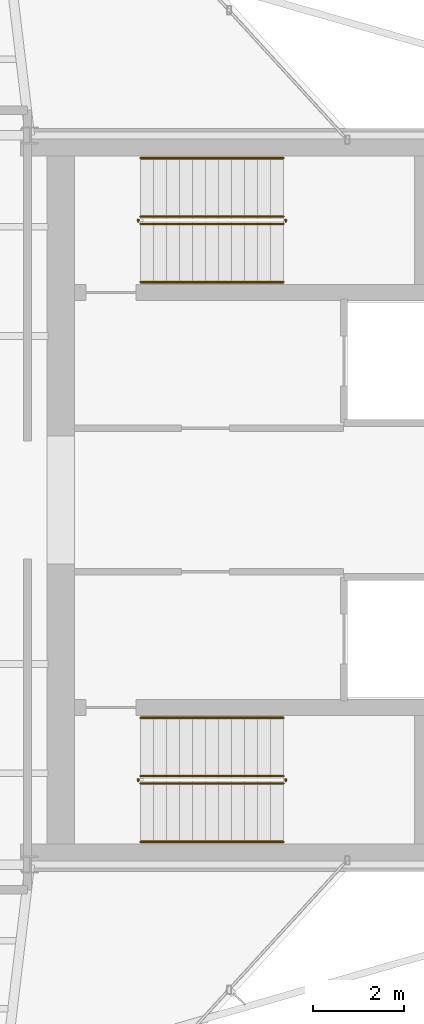
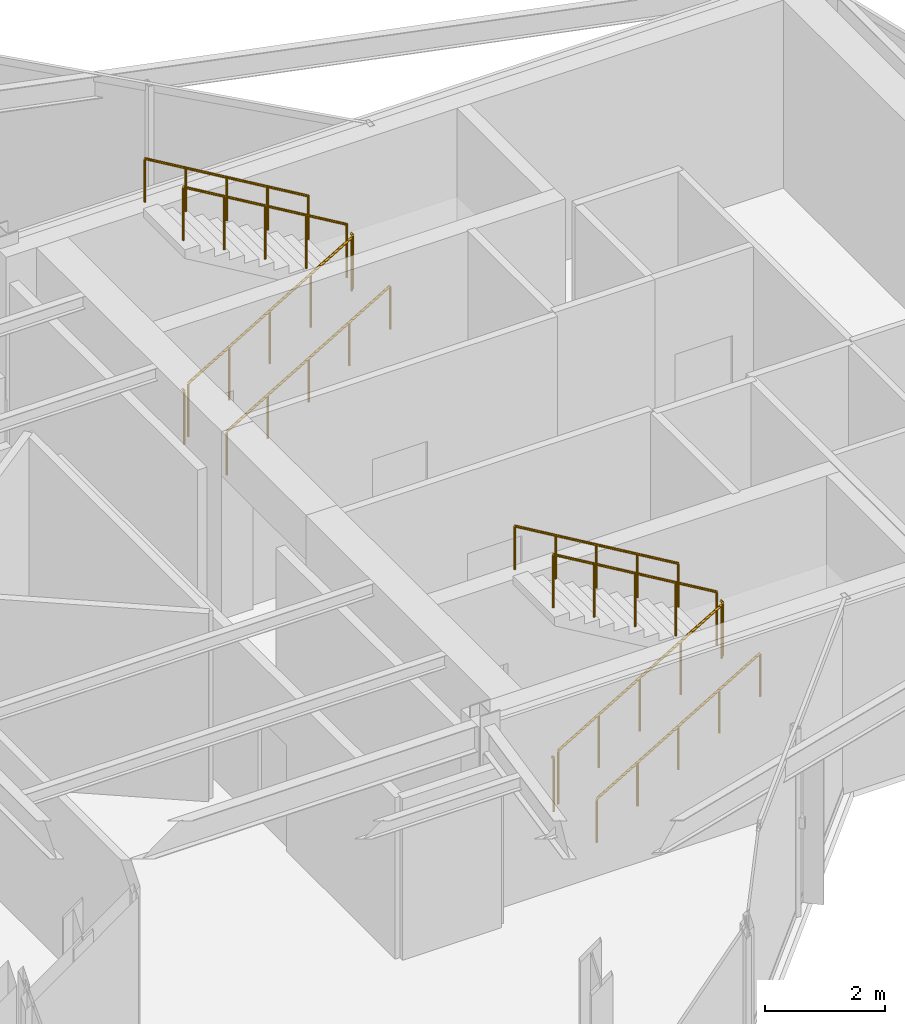
# One storey, part 13 of 13: 12 railings.
"""IFC4 building model written with IfcOpenShell, lengths in metres."""

from ifc_helpers import new_model, si_unit, direction, frame, origin, origin_2d, place, context, subcontext, project, spatial, circle, extrude, material, type_object, element, save


model = new_model("IFC4")

# Units and contexts
model_context = context("Model", 3, precision=1e-05, world=origin(), true_north=direction((0.0, 1.0)))
body_context = subcontext(model_context, "Body", "Model", "MODEL_VIEW")
ifc_project = project(units=[si_unit("LENGTHUNIT", "METRE"), si_unit("AREAUNIT", "SQUARE_METRE"), si_unit("VOLUMEUNIT", "CUBIC_METRE"), si_unit("PLANEANGLEUNIT", "RADIAN"), si_unit("MASSUNIT", "GRAM", prefix="KILO")], contexts=[model_context])

# Site, building, storey
site_placement = place(None, origin())
site = spatial("IfcSite", under=ifc_project, at=site_placement, CompositionType="ELEMENT")
building_placement = place(site_placement, origin())
building = spatial("IfcBuilding", under=site, at=building_placement, Name="Veymaron Broadcast Tower", CompositionType="ELEMENT")
storey_placement = place(building_placement, frame((0.0, 0.0, 279.0)))
storey = spatial("IfcBuildingStorey", under=building, at=storey_placement, Name="L65", CompositionType="ELEMENT", Elevation=279.0)

# Railings
ifc_material_1 = material(Name="Brushed stainless steel AISI 304", Category="steel")
railing_type_1 = type_object("IfcRailingType", Name="RAIL-STAIR-HR", PredefinedType="HANDRAIL", material=ifc_material_1)
railing_1_placement = place(storey_placement, frame((41.429931640625, 28.780029296875, 0.168701171875)))
element("IfcRailing", 1, at=railing_1_placement, inside=storey, type_object=railing_type_1, Name="L65 ST1 stair handrail 1", PredefinedType="HANDRAIL", context=body_context, shape_type="SweptSolid", body=[
    extrude(circle(Radius=0.02392578125, at=origin_2d()), frame((0.0, 0.0, 0.8759765625), z_axis=(0.860481960309, 0.0, 0.509480908359), x_axis=(0.0, 1.0, 0.0)), (0.0, 0.0, 1.0), 3.643310546875),
    extrude(circle(Radius=0.02099609375, at=origin_2d()), origin(), (0.0, 0.0, 1.0), 0.851806640625),
    extrude(circle(Radius=0.02099609375, at=origin_2d()), frame((0.78369140625, 0.0, 0.464111328125)), (0.0, 0.0, 1.0), 0.851806640625),
    extrude(circle(Radius=0.02099609375, at=origin_2d()), frame((1.5673828125, 0.0, 0.92822265625)), (0.0, 0.0, 1.0), 0.851806640625),
    extrude(circle(Radius=0.02099609375, at=origin_2d()), frame((2.351318359375, 0.0, 1.39208984375)), (0.0, 0.0, 1.0), 0.851806640625),
    extrude(circle(Radius=0.02099609375, at=origin_2d()), frame((3.135009765625, 0.0, 1.856201171875)), (0.0, 0.0, 1.0), 0.851806640625),
])
railing_2_placement = place(storey_placement, frame((44.56494140625, 31.5, 2.19384765625)))
element("IfcRailing", 2, at=railing_2_placement, inside=storey, type_object=railing_type_1, Name="L65 ST1 stair handrail 2", PredefinedType="HANDRAIL", context=body_context, shape_type="SweptSolid", body=[
    extrude(circle(Radius=0.02392578125, at=origin_2d()), frame((0.0, 0.0, 0.8759765625), z_axis=(-0.860481960309, 0.0, 0.509480908359), x_axis=(0.0, -1.0, 0.0)), (0.0, 0.0, 1.0), 3.643310546875),
    extrude(circle(Radius=0.02099609375, at=origin_2d()), origin(), (0.0, 0.0, 1.0), 0.851806640625),
    extrude(circle(Radius=0.02099609375, at=origin_2d()), frame((-0.78369140625, 0.0, 0.464111328125)), (0.0, 0.0, 1.0), 0.851806640625),
    extrude(circle(Radius=0.02099609375, at=origin_2d()), frame((-1.5673828125, 0.0, 0.92822265625)), (0.0, 0.0, 1.0), 0.851806640625),
    extrude(circle(Radius=0.02099609375, at=origin_2d()), frame((-2.351318359375, 0.0, 1.39208984375)), (0.0, 0.0, 1.0), 0.851806640625),
    extrude(circle(Radius=0.02099609375, at=origin_2d()), frame((-3.135009765625, 0.0, 1.856201171875)), (0.0, 0.0, 1.0), 0.851806640625),
])
railing_3_placement = place(storey_placement, frame((41.429931640625, 16.5, 0.168701171875)))
element("IfcRailing", 3, at=railing_3_placement, inside=storey, type_object=railing_type_1, Name="L65 ST2 stair handrail 1", PredefinedType="HANDRAIL", context=body_context, shape_type="SweptSolid", body=[
    extrude(circle(Radius=0.02392578125, at=origin_2d()), frame((0.0, 0.0, 0.8759765625), z_axis=(0.860481960309, 0.0, 0.509480908359), x_axis=(0.0, 1.0, 0.0)), (0.0, 0.0, 1.0), 3.643310546875),
    extrude(circle(Radius=0.02099609375, at=origin_2d()), origin(), (0.0, 0.0, 1.0), 0.851806640625),
    extrude(circle(Radius=0.02099609375, at=origin_2d()), frame((0.78369140625, 0.0, 0.464111328125)), (0.0, 0.0, 1.0), 0.851806640625),
    extrude(circle(Radius=0.02099609375, at=origin_2d()), frame((1.5673828125, 0.0, 0.92822265625)), (0.0, 0.0, 1.0), 0.851806640625),
    extrude(circle(Radius=0.02099609375, at=origin_2d()), frame((2.351318359375, 0.0, 1.39208984375)), (0.0, 0.0, 1.0), 0.851806640625),
    extrude(circle(Radius=0.02099609375, at=origin_2d()), frame((3.135009765625, 0.0, 1.856201171875)), (0.0, 0.0, 1.0), 0.851806640625),
])
railing_4_placement = place(storey_placement, frame((44.56494140625, 19.219970703125, 2.19384765625)))
element("IfcRailing", 4, at=railing_4_placement, inside=storey, type_object=railing_type_1, Name="L65 ST2 stair handrail 2", PredefinedType="HANDRAIL", context=body_context, shape_type="SweptSolid", body=[
    extrude(circle(Radius=0.02392578125, at=origin_2d()), frame((0.0, 0.0, 0.8759765625), z_axis=(-0.860481960309, 0.0, 0.509480908359), x_axis=(0.0, -1.0, 0.0)), (0.0, 0.0, 1.0), 3.643310546875),
    extrude(circle(Radius=0.02099609375, at=origin_2d()), origin(), (0.0, 0.0, 1.0), 0.851806640625),
    extrude(circle(Radius=0.02099609375, at=origin_2d()), frame((-0.78369140625, 0.0, 0.464111328125)), (0.0, 0.0, 1.0), 0.851806640625),
    extrude(circle(Radius=0.02099609375, at=origin_2d()), frame((-1.5673828125, 0.0, 0.92822265625)), (0.0, 0.0, 1.0), 0.851806640625),
    extrude(circle(Radius=0.02099609375, at=origin_2d()), frame((-2.351318359375, 0.0, 1.39208984375)), (0.0, 0.0, 1.0), 0.851806640625),
    extrude(circle(Radius=0.02099609375, at=origin_2d()), frame((-3.135009765625, 0.0, 1.856201171875)), (0.0, 0.0, 1.0), 0.851806640625),
])
ifc_material_2 = material(Name="Painted galvanized steel balustrade", Category="steel")
railing_type_2 = type_object("IfcRailingType", Name="RAIL-WELL-GRD", PredefinedType="GUARDRAIL", material=ifc_material_2)
railing_5_placement = place(storey_placement, frame((41.429931640625, 30.06005859375, 0.168701171875)))
element("IfcRailing", 5, at=railing_5_placement, inside=storey, type_object=railing_type_2, Name="L65 ST1 stair guard 1", PredefinedType="GUARDRAIL", context=body_context, shape_type="SweptSolid", body=[
    extrude(circle(Radius=0.02392578125, at=origin_2d()), frame((0.0, 0.0, 1.076171875), z_axis=(0.860481960309, 0.0, 0.509480908359), x_axis=(0.0, 1.0, 0.0)), (0.0, 0.0, 1.0), 3.643310546875),
    extrude(circle(Radius=0.02099609375, at=origin_2d()), origin(), (0.0, 0.0, 1.0), 1.052001953125),
    extrude(circle(Radius=0.02099609375, at=origin_2d()), frame((0.78369140625, 0.0, 0.464111328125)), (0.0, 0.0, 1.0), 1.052001953125),
    extrude(circle(Radius=0.02099609375, at=origin_2d()), frame((1.5673828125, 0.0, 0.92822265625)), (0.0, 0.0, 1.0), 1.052001953125),
    extrude(circle(Radius=0.02099609375, at=origin_2d()), frame((2.351318359375, 0.0, 1.39208984375)), (0.0, 0.0, 1.0), 1.052001953125),
    extrude(circle(Radius=0.02099609375, at=origin_2d()), frame((3.135009765625, 0.0, 1.856201171875)), (0.0, 0.0, 1.0), 1.052001953125),
])
railing_6_placement = place(storey_placement, frame((44.614990234375, 30.110107421875, 2.02490234375)))
element("IfcRailing", 6, at=railing_6_placement, inside=storey, type_object=railing_type_2, Name="L65 ST1 stair guard 2", PredefinedType="GUARDRAIL", context=body_context, shape_type="SweptSolid", body=[
    extrude(circle(Radius=0.02392578125, at=origin_2d()), frame((0.0, 0.0, 1.076171875), z_axis=(0.0, 1.0, 0.0), x_axis=(-1.0, 0.0, 0.0)), (0.0, 0.0, 1.0), 0.059814453125),
    extrude(circle(Radius=0.02099609375, at=origin_2d()), origin(), (0.0, 0.0, 1.0), 1.052001953125),
])
railing_7_placement = place(storey_placement, frame((44.56494140625, 30.219970703125, 2.19384765625)))
element("IfcRailing", 7, at=railing_7_placement, inside=storey, type_object=railing_type_2, Name="L65 ST1 stair guard 3", PredefinedType="GUARDRAIL", context=body_context, shape_type="SweptSolid", body=[
    extrude(circle(Radius=0.02392578125, at=origin_2d()), frame((0.0, 0.0, 1.076171875), z_axis=(-0.860481960309, 0.0, 0.509480908359), x_axis=(0.0, -1.0, 0.0)), (0.0, 0.0, 1.0), 3.643310546875),
    extrude(circle(Radius=0.02099609375, at=origin_2d()), origin(), (0.0, 0.0, 1.0), 1.052001953125),
    extrude(circle(Radius=0.02099609375, at=origin_2d()), frame((-0.78369140625, 0.0, 0.464111328125)), (0.0, 0.0, 1.0), 1.052001953125),
    extrude(circle(Radius=0.02099609375, at=origin_2d()), frame((-1.5673828125, 0.0, 0.92822265625)), (0.0, 0.0, 1.0), 1.052001953125),
    extrude(circle(Radius=0.02099609375, at=origin_2d()), frame((-2.351318359375, 0.0, 1.39208984375)), (0.0, 0.0, 1.0), 1.052001953125),
    extrude(circle(Radius=0.02099609375, at=origin_2d()), frame((-3.135009765625, 0.0, 1.856201171875)), (0.0, 0.0, 1.0), 1.052001953125),
])
railing_8_placement = place(storey_placement, frame((41.3798828125, 30.110107421875, 0.0)))
element("IfcRailing", 8, at=railing_8_placement, inside=storey, type_object=railing_type_2, Name="L65 ST1 stair guard 4", PredefinedType="GUARDRAIL", context=body_context, shape_type="SweptSolid", body=[
    extrude(circle(Radius=0.02392578125, at=origin_2d()), frame((0.0, 0.0, 1.076171875), z_axis=(0.0, 1.0, 0.0), x_axis=(-1.0, 0.0, 0.0)), (0.0, 0.0, 1.0), 0.059814453125),
    extrude(circle(Radius=0.02099609375, at=origin_2d()), origin(), (0.0, 0.0, 1.0), 1.052001953125),
])
railing_9_placement = place(storey_placement, frame((41.429931640625, 17.780029296875, 0.168701171875)))
element("IfcRailing", 9, at=railing_9_placement, inside=storey, type_object=railing_type_2, Name="L65 ST2 stair guard 1", PredefinedType="GUARDRAIL", context=body_context, shape_type="SweptSolid", body=[
    extrude(circle(Radius=0.02392578125, at=origin_2d()), frame((0.0, 0.0, 1.076171875), z_axis=(0.860481960309, 0.0, 0.509480908359), x_axis=(0.0, 1.0, 0.0)), (0.0, 0.0, 1.0), 3.643310546875),
    extrude(circle(Radius=0.02099609375, at=origin_2d()), origin(), (0.0, 0.0, 1.0), 1.052001953125),
    extrude(circle(Radius=0.02099609375, at=origin_2d()), frame((0.78369140625, 0.0, 0.464111328125)), (0.0, 0.0, 1.0), 1.052001953125),
    extrude(circle(Radius=0.02099609375, at=origin_2d()), frame((1.5673828125, 0.0, 0.92822265625)), (0.0, 0.0, 1.0), 1.052001953125),
    extrude(circle(Radius=0.02099609375, at=origin_2d()), frame((2.351318359375, 0.0, 1.39208984375)), (0.0, 0.0, 1.0), 1.052001953125),
    extrude(circle(Radius=0.02099609375, at=origin_2d()), frame((3.135009765625, 0.0, 1.856201171875)), (0.0, 0.0, 1.0), 1.052001953125),
])
railing_10_placement = place(storey_placement, frame((44.614990234375, 17.830078125, 2.02490234375)))
element("IfcRailing", 10, at=railing_10_placement, inside=storey, type_object=railing_type_2, Name="L65 ST2 stair guard 2", PredefinedType="GUARDRAIL", context=body_context, shape_type="SweptSolid", body=[
    extrude(circle(Radius=0.02392578125, at=origin_2d()), frame((0.0, 0.0, 1.076171875), z_axis=(0.0, 1.0, 0.0), x_axis=(-1.0, 0.0, 0.0)), (0.0, 0.0, 1.0), 0.059814453125),
    extrude(circle(Radius=0.02099609375, at=origin_2d()), origin(), (0.0, 0.0, 1.0), 1.052001953125),
])
railing_11_placement = place(storey_placement, frame((44.56494140625, 17.93994140625, 2.19384765625)))
element("IfcRailing", 11, at=railing_11_placement, inside=storey, type_object=railing_type_2, Name="L65 ST2 stair guard 3", PredefinedType="GUARDRAIL", context=body_context, shape_type="SweptSolid", body=[
    extrude(circle(Radius=0.02392578125, at=origin_2d()), frame((0.0, 0.0, 1.076171875), z_axis=(-0.860481960309, 0.0, 0.509480908359), x_axis=(0.0, -1.0, 0.0)), (0.0, 0.0, 1.0), 3.643310546875),
    extrude(circle(Radius=0.02099609375, at=origin_2d()), origin(), (0.0, 0.0, 1.0), 1.052001953125),
    extrude(circle(Radius=0.02099609375, at=origin_2d()), frame((-0.78369140625, 0.0, 0.464111328125)), (0.0, 0.0, 1.0), 1.052001953125),
    extrude(circle(Radius=0.02099609375, at=origin_2d()), frame((-1.5673828125, 0.0, 0.92822265625)), (0.0, 0.0, 1.0), 1.052001953125),
    extrude(circle(Radius=0.02099609375, at=origin_2d()), frame((-2.351318359375, 0.0, 1.39208984375)), (0.0, 0.0, 1.0), 1.052001953125),
    extrude(circle(Radius=0.02099609375, at=origin_2d()), frame((-3.135009765625, 0.0, 1.856201171875)), (0.0, 0.0, 1.0), 1.052001953125),
])
railing_12_placement = place(storey_placement, frame((41.3798828125, 17.830078125, 0.0)))
element("IfcRailing", 12, at=railing_12_placement, inside=storey, type_object=railing_type_2, Name="L65 ST2 stair guard 4", PredefinedType="GUARDRAIL", context=body_context, shape_type="SweptSolid", body=[
    extrude(circle(Radius=0.02392578125, at=origin_2d()), frame((0.0, 0.0, 1.076171875), z_axis=(0.0, 1.0, 0.0), x_axis=(-1.0, 0.0, 0.0)), (0.0, 0.0, 1.0), 0.059814453125),
    extrude(circle(Radius=0.02099609375, at=origin_2d()), origin(), (0.0, 0.0, 1.0), 1.052001953125),
])

save(model, "model.ifc")
